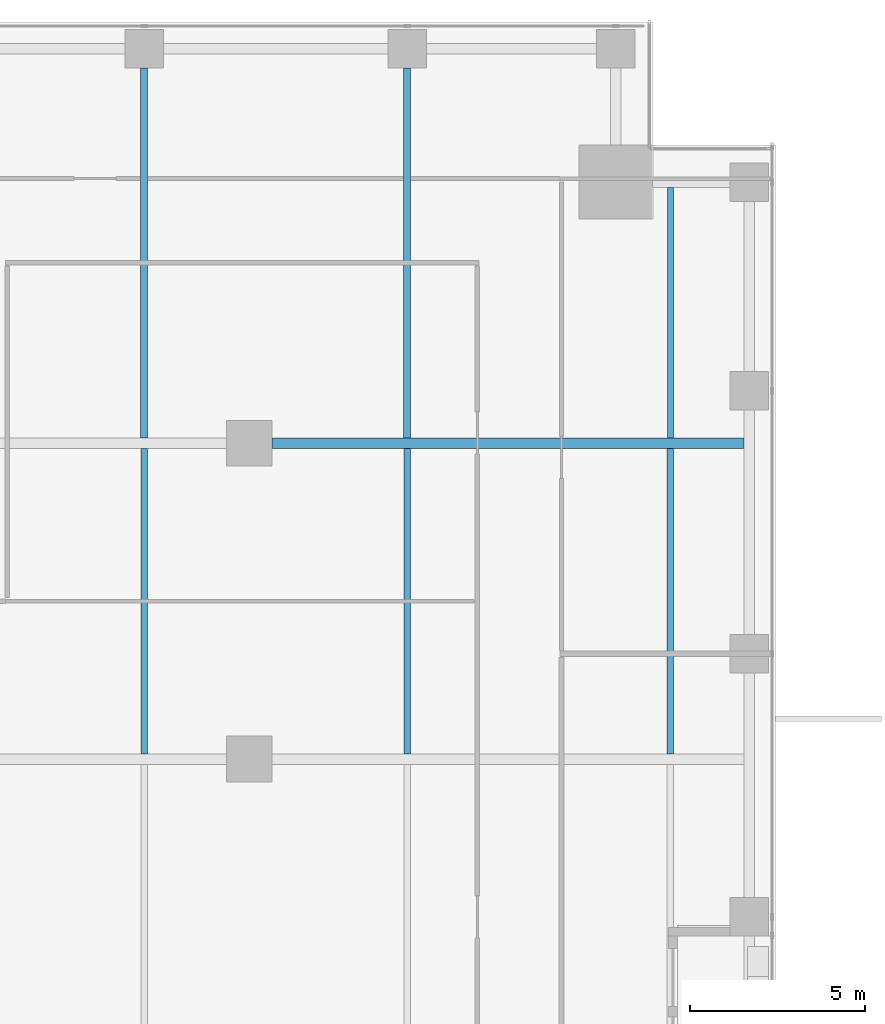
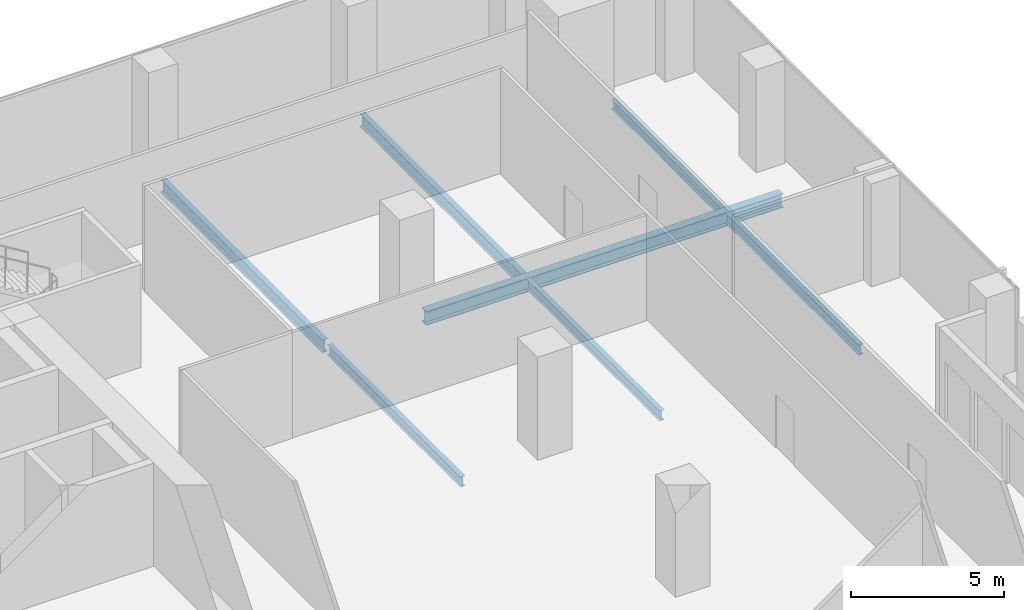
# One storey, part 18 of 34: 7 beams.
"""IFC4 building model written with IfcOpenShell, lengths in metres."""

from ifc_helpers import new_model, si_unit, direction, frame, origin, origin_2d, place, context, subcontext, project, spatial, i_section, extrude, source, transform, mapped, material, material_profile, profile_set, type_object, element, save


model = new_model("IFC4")

# Units and contexts
model_context = context("Model", 3, precision=1e-05, world=origin(), true_north=direction((0.0, 1.0)))
body_context = subcontext(model_context, "Body", "Model", "MODEL_VIEW")
ifc_project = project(units=[si_unit("LENGTHUNIT", "METRE"), si_unit("AREAUNIT", "SQUARE_METRE"), si_unit("VOLUMEUNIT", "CUBIC_METRE"), si_unit("PLANEANGLEUNIT", "RADIAN"), si_unit("MASSUNIT", "GRAM", prefix="KILO")], contexts=[model_context])

# Site, building, storey
site_placement = place(None, origin())
site = spatial("IfcSite", under=ifc_project, at=site_placement, CompositionType="ELEMENT")
building_placement = place(site_placement, origin())
building = spatial("IfcBuilding", under=site, at=building_placement, Name="Khomas Fold Tower", CompositionType="ELEMENT")
storey_placement = place(building_placement, frame((0.0, 0.0, 145.5)))
storey = spatial("IfcBuildingStorey", under=building, at=storey_placement, Name="L31", CompositionType="ELEMENT", Elevation=145.5)

# Beams
ifc_material_1 = material(Name="Steel S355", Category="steel")
ifc_material_profile_1 = material_profile(ifc_material_1, i_section(OverallWidth=0.179931640625, OverallDepth=0.39990234375, WebThickness=0.008544921875, FlangeThickness=0.013427734375, at=origin_2d()), Name="IPE 400")
ifc_profile_set_1 = profile_set([ifc_material_profile_1], Name="Steel S355")
beam_type_1 = type_object("IfcBeamType", Name="IPE 400 beam JB3", PredefinedType="BEAM", material=ifc_profile_set_1)
shared_shape_1 = source(origin(), body_context, "Body", "SweptSolid", [
    extrude(i_section(OverallWidth=0.179931640625, OverallDepth=0.39990234375, WebThickness=0.008544921875, FlangeThickness=0.013427734375, at=origin_2d()), origin(), (0.0, 0.0, 1.0), 8.7001953125),
])
for number, where, z_axis, x_axis, name in (
    (1, (34.5, 31.64990234375, -0.5), (0.0, 1.0, 0.0), (-1.0, 0.0, 0.0), "JB3"),
    (2, (42.0, 31.64990234375, -0.5), (0.0, 1.0, 0.0), (-1.0, 0.0, 0.0), "JB3"),
    (3, (49.5, 31.64990234375, -0.5), (0.0, 1.0, 0.0), (-1.0, 0.0, 0.0), "JB3"),
):
    element("IfcBeam", number, at=place(storey_placement, frame(where, z_axis=z_axis, x_axis=x_axis)), inside=storey, type_object=beam_type_1, Name=name, PredefinedType="BEAM", context=body_context, shape_type="MappedRepresentation", body=[
        mapped(shared_shape_1, transform((0.0, 0.0, 0.0))),
    ])
ifc_material_2 = material(Name="Steel S355", Category="steel")
ifc_material_profile_2 = material_profile(ifc_material_2, i_section(OverallWidth=0.169921875, OverallDepth=0.360107421875, WebThickness=0.008056640625, FlangeThickness=0.0126953125, at=origin_2d()), Name="IPE 360")
ifc_profile_set_2 = profile_set([ifc_material_profile_2], Name="Steel S355")
beam_type_2 = type_object("IfcBeamType", Name="IPE 360 beam JB2", PredefinedType="BEAM", material=ifc_profile_set_2)
shared_shape_2 = source(origin(), body_context, "Body", "SweptSolid", [
    extrude(i_section(OverallWidth=0.169921875, OverallDepth=0.360107421875, WebThickness=0.008056640625, FlangeThickness=0.0126953125, at=origin_2d()), origin(), (0.0, 0.0, 1.0), 7.150146484375),
])
beam_1_placement = place(storey_placement, frame((49.5, 40.64990234375, -0.47998046875), z_axis=(0.0, 1.0, 0.0), x_axis=(-1.0, 0.0, 0.0)))
element("IfcBeam", 4, at=beam_1_placement, inside=storey, type_object=beam_type_2, Name="JB2", PredefinedType="BEAM", context=body_context, shape_type="MappedRepresentation", body=[
    mapped(shared_shape_2, transform((0.0, 0.0, 0.0))),
])
ifc_material_3 = material(Name="Steel S355", Category="steel")
ifc_material_profile_3 = material_profile(ifc_material_3, i_section(OverallWidth=0.300048828125, OverallDepth=0.550048828125, WebThickness=0.014892578125, FlangeThickness=0.029052734375, at=origin_2d()), Name="HE 550 B")
ifc_profile_set_3 = profile_set([ifc_material_profile_3], Name="Steel S355")
beam_type_3 = type_object("IfcBeamType", Name="HE 550 B beam GB4", PredefinedType="BEAM", material=ifc_profile_set_3)
shared_shape_3 = source(origin(), body_context, "Body", "SweptSolid", [
    extrude(i_section(OverallWidth=0.300048828125, OverallDepth=0.550048828125, WebThickness=0.014892578125, FlangeThickness=0.029052734375, at=origin_2d()), origin(), (0.0, 0.0, 1.0), 13.4501953125),
])
beam_2_placement = place(storey_placement, frame((38.14990234375, 40.5, -0.574951171875), z_axis=(1.0, 0.0, 0.0), x_axis=(0.0, 1.0, 0.0)))
element("IfcBeam", 5, at=beam_2_placement, inside=storey, type_object=beam_type_3, Name="GB4", PredefinedType="BEAM", context=body_context, shape_type="MappedRepresentation", body=[
    mapped(shared_shape_3, transform((0.0, 0.0, 0.0))),
])
ifc_material_4 = material(Name="Steel S355", Category="steel")
ifc_material_profile_4 = material_profile(ifc_material_4, i_section(OverallWidth=0.199951171875, OverallDepth=0.5, WebThickness=0.01025390625, FlangeThickness=0.01611328125, at=origin_2d()), Name="IPE 500")
ifc_profile_set_4 = profile_set([ifc_material_profile_4], Name="Steel S355")
beam_type_4 = type_object("IfcBeamType", Name="IPE 500 beam JB5", PredefinedType="BEAM", material=ifc_profile_set_4)
shared_shape_4 = source(origin(), body_context, "Body", "SweptSolid", [
    extrude(i_section(OverallWidth=0.199951171875, OverallDepth=0.5, WebThickness=0.01025390625, FlangeThickness=0.01611328125, at=origin_2d()), origin(), (0.0, 0.0, 1.0), 10.550048828125),
])
for number, where, z_axis, x_axis, name in (
    (6, (34.5, 40.64990234375, -0.550048828125), (0.0, 1.0, 0.0), (-1.0, 0.0, 0.0), "JB5"),
    (7, (42.0, 40.64990234375, -0.550048828125), (0.0, 1.0, 0.0), (-1.0, 0.0, 0.0), "JB5"),
):
    element("IfcBeam", number, at=place(storey_placement, frame(where, z_axis=z_axis, x_axis=x_axis)), inside=storey, type_object=beam_type_4, Name=name, PredefinedType="BEAM", context=body_context, shape_type="MappedRepresentation", body=[
        mapped(shared_shape_4, transform((0.0, 0.0, 0.0))),
    ])

save(model, "model.ifc")
